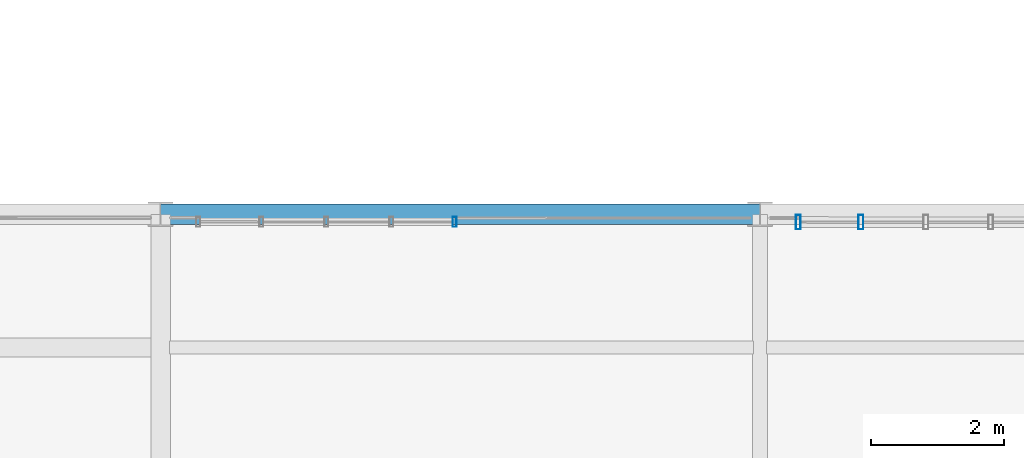
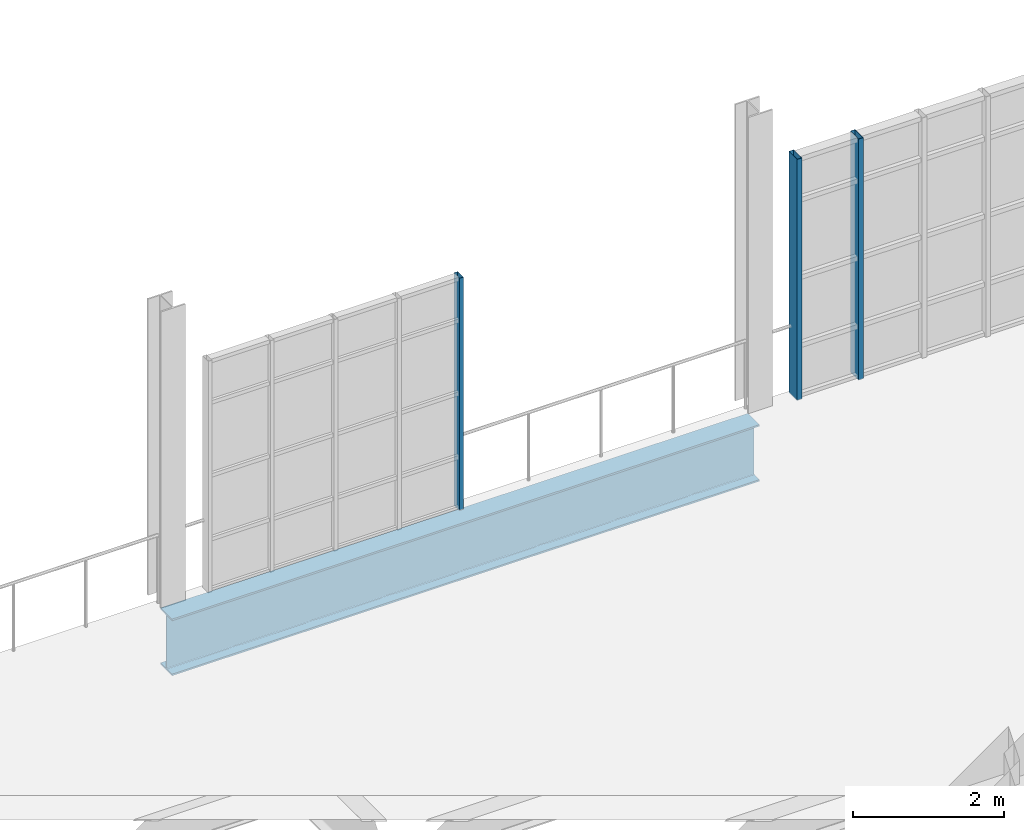
# One storey, part 43 of 122: 3 members, 1 beam, 2 elements without a shape of their own.
"""IFC4 building model written with IfcOpenShell, lengths in metres."""

from ifc_helpers import new_model, si_unit, direction, frame, origin, origin_2d, place, context, subcontext, project, spatial, hollow_rectangle, i_section, extrude, material, layer, layer_set, material_profile, profile_set, type_object, element, aggregate, save


model = new_model("IFC4")

# Units and contexts
model_context = context("Model", 3, precision=1e-05, world=origin(), true_north=direction((0.0, 1.0)))
body_context = subcontext(model_context, "Body", "Model", "MODEL_VIEW")
ifc_project = project(units=[si_unit("LENGTHUNIT", "METRE"), si_unit("AREAUNIT", "SQUARE_METRE"), si_unit("VOLUMEUNIT", "CUBIC_METRE"), si_unit("PLANEANGLEUNIT", "RADIAN"), si_unit("MASSUNIT", "GRAM", prefix="KILO"), si_unit("THERMODYNAMICTEMPERATUREUNIT", "KELVIN"), si_unit("POWERUNIT", "WATT")], contexts=[model_context])

# Site, building, storey
site_placement = place(None, origin())
site = spatial("IfcSite", under=ifc_project, at=site_placement, CompositionType="ELEMENT")
building_placement = place(site_placement, origin())
building = spatial("IfcBuilding", under=site, at=building_placement, Name="Zelmaris Science Centre", CompositionType="ELEMENT")
storey_placement = place(building_placement, frame((0.0, 0.0, 10.800048828125)))
storey = spatial("IfcBuildingStorey", under=building, at=storey_placement, Name="L02", CompositionType="ELEMENT", Elevation=10.800048828125)

# Curtain wall, member
ifc_material_1 = material(Name="Anodised architectural aluminium 6063-T6", Category="aluminium")
ifc_layer_1 = layer(ifc_material_1, 0.219970703125, Name="Anodised architectural aluminium 6063-T6")
ifc_layer_set_1 = layer_set([ifc_layer_1], Name="Anodised architectural aluminium 6063-T6")
curtain_wall_type_1 = type_object("IfcCurtainWallType", Name="Curtain Wall CW-04", PredefinedType="USERDEFINED", material=ifc_layer_set_1)
curtain_wall_1_placement = place(storey_placement, origin())
curtain_wall_1 = element("IfcCurtainWall", 1, at=curtain_wall_1_placement, inside=storey, type_object=curtain_wall_type_1, Name="L02 Unitised curtain wall 220", ObjectType="GLAZED CURTAIN WALL", PredefinedType="USERDEFINED")
ifc_material_profile_1 = material_profile(ifc_material_1, hollow_rectangle(XDim=0.06005859375, YDim=0.14990234375, WallThickness=0.00341796875, at=origin_2d()), Name="ALU-MUL-60X150")
ifc_profile_set_1 = profile_set([ifc_material_profile_1], Name="Anodised architectural aluminium 6063-T6")
member_type_1 = type_object("IfcMemberType", Name="ALU-MUL-60X150", PredefinedType="MULLION", material=ifc_profile_set_1)
member_1_placement = place(storey_placement, frame((130.413818359375, 55.88671875, -0.01513671875), z_axis=(0.0, 0.0, 1.0), x_axis=(0.99999988059, -0.000488692171, 0.0)))
member_1 = element("IfcMember", 2, at=member_1_placement, type_object=member_type_1, Name="CW-04 mullion 5", PredefinedType="MULLION", context=body_context, shape_type="SweptSolid", body=[
    extrude(hollow_rectangle(XDim=0.06005859375, YDim=0.14990234375, WallThickness=0.00341796875, at=origin_2d()), origin(), (0.0, 0.0, 1.0), 3.76318359375),
])
aggregate(curtain_wall_1, [member_1])

# Curtain wall, members
ifc_layer_2 = layer(ifc_material_1, 0.199951171875, Name="Anodised architectural aluminium 6063-T6")
ifc_layer_set_2 = layer_set([ifc_layer_2], Name="Anodised architectural aluminium 6063-T6")
curtain_wall_type_2 = type_object("IfcCurtainWallType", Name="Curtain Wall CW-02", PredefinedType="USERDEFINED", material=ifc_layer_set_2)
curtain_wall_2_placement = place(storey_placement, origin())
curtain_wall_2 = element("IfcCurtainWall", 3, at=curtain_wall_2_placement, inside=storey, type_object=curtain_wall_type_2, Name="L02 Unitised curtain wall 222", ObjectType="GLAZED CURTAIN WALL", PredefinedType="USERDEFINED")
ifc_material_profile_2 = material_profile(ifc_material_1, hollow_rectangle(XDim=0.074951171875, YDim=0.219970703125, WallThickness=0.0048828125, at=origin_2d()), Name="ALU-MUL-75X220")
ifc_profile_set_2 = profile_set([ifc_material_profile_2], Name="Anodised architectural aluminium 6063-T6")
member_type_2 = type_object("IfcMemberType", Name="ALU-MUL-75X220", PredefinedType="MULLION", material=ifc_profile_set_2)
member_2_placement = place(storey_placement, frame((135.573486328125, 55.884033203125, -0.01513671875), z_axis=(0.0, 0.0, 1.0), x_axis=(0.99999988059, -0.000488692171, 0.0)))
member_2 = element("IfcMember", 4, at=member_2_placement, type_object=member_type_2, Name="CW-02 mullion 1", PredefinedType="MULLION", context=body_context, shape_type="SweptSolid", body=[
    extrude(hollow_rectangle(XDim=0.074951171875, YDim=0.219970703125, WallThickness=0.0048828125, at=origin_2d()), origin(), (0.0, 0.0, 1.0), 3.908203125),
])
member_3_placement = place(storey_placement, frame((136.514892578125, 55.883544921875, -0.01513671875), z_axis=(0.0, 0.0, 1.0), x_axis=(0.99999988059, -0.000488692171, 0.0)))
member_3 = element("IfcMember", 5, at=member_3_placement, type_object=member_type_2, Name="CW-02 mullion 2", PredefinedType="MULLION", context=body_context, shape_type="SweptSolid", body=[
    extrude(hollow_rectangle(XDim=0.074951171875, YDim=0.219970703125, WallThickness=0.0048828125, at=origin_2d()), origin(), (0.0, 0.0, 1.0), 3.908203125),
])
aggregate(curtain_wall_2, [member_2, member_3])

# Beam
ifc_material_2 = material(Name="Steel ASTM A992 Grade 50", Category="steel")
ifc_material_profile_3 = material_profile(ifc_material_2, i_section(OverallWidth=0.304931640625, OverallDepth=0.9189453125, WebThickness=0.017333984375, FlangeThickness=0.02783203125, FilletRadius=0.02392578125, at=origin_2d()), Name="W36X170")
ifc_profile_set_3 = profile_set([ifc_material_profile_3], Name="Steel ASTM A992 Grade 50")
beam_type = type_object("IfcBeamType", Name="Beam G-26 W36X170", PredefinedType="BEAM", material=ifc_profile_set_3)
beam_placement = place(storey_placement, frame((126.0, 56.0, -0.719482421875), z_axis=(1.0, 0.0, 0.0), x_axis=(0.0, 1.0, 0.0)))
element("IfcBeam", 6, at=beam_placement, inside=storey, type_object=beam_type, Name="L02 East-west girder 573", PredefinedType="BEAM", context=body_context, shape_type="SweptSolid", body=[
    extrude(i_section(OverallWidth=0.304931640625, OverallDepth=0.9189453125, WebThickness=0.017333984375, FlangeThickness=0.02783203125, FilletRadius=0.02392578125, at=origin_2d()), origin(), (0.0, 0.0, 1.0), 9.0),
])

save(model, "model.ifc")
